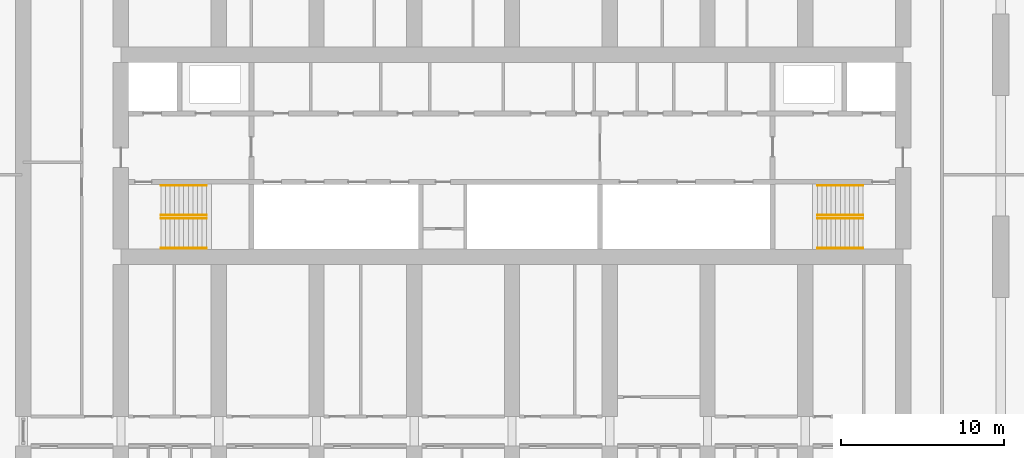
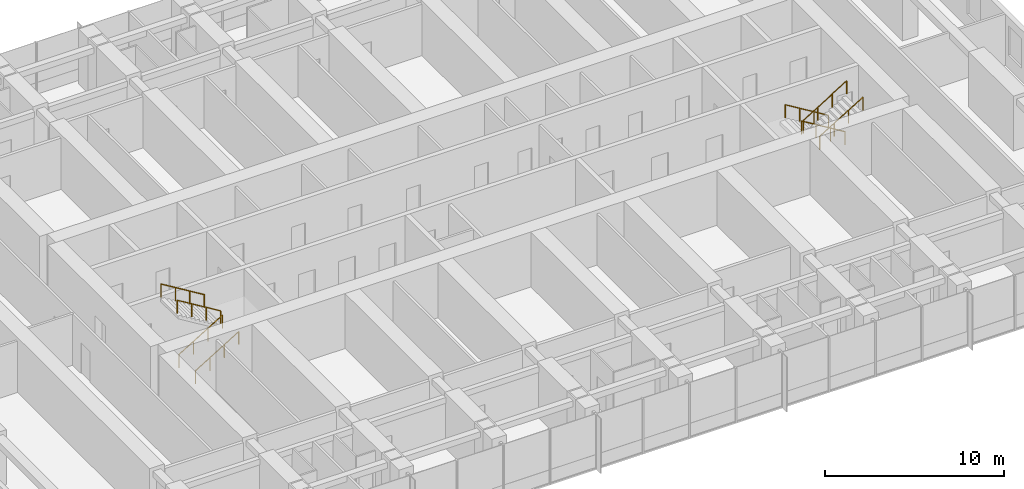
# One storey, part 21 of 21: 8 railings.
"""IFC4 building model written with IfcOpenShell, lengths in metres."""

from ifc_helpers import new_model, si_unit, direction, frame, origin, origin_2d, place, context, subcontext, project, spatial, circle, extrude, material, type_object, element, save


model = new_model("IFC4")

# Units and contexts
model_context = context("Model", 3, precision=1e-05, world=origin(), true_north=direction((0.0, 1.0)))
body_context = subcontext(model_context, "Body", "Model", "MODEL_VIEW")
ifc_project = project(units=[si_unit("LENGTHUNIT", "METRE"), si_unit("AREAUNIT", "SQUARE_METRE"), si_unit("VOLUMEUNIT", "CUBIC_METRE"), si_unit("PLANEANGLEUNIT", "RADIAN"), si_unit("MASSUNIT", "GRAM", prefix="KILO")], contexts=[model_context])

# Site, building, storey
site_placement = place(None, origin())
site = spatial("IfcSite", under=ifc_project, at=site_placement, CompositionType="ELEMENT")
building_placement = place(site_placement, origin())
building = spatial("IfcBuilding", under=site, at=building_placement, Name="Orbita Commons", CompositionType="ELEMENT")
storey_placement = place(building_placement, frame((0.0, 0.0, 125.64990234375)))
storey = spatial("IfcBuildingStorey", under=building, at=storey_placement, Name="L31", CompositionType="ELEMENT", Elevation=125.64990234375)

# Railings
ifc_material = material(Name="Steel tube, painted", Category="steel")
railing_type = type_object("IfcRailingType", Name="Stair handrail steel tube 900", PredefinedType="HANDRAIL", material=ifc_material)
for number, where, name in (
    (1, (20.449951171875, 28.1650390625, 0.170654296875), "Stair S1 handrail L31 flight 1"),
    (2, (20.449951171875, 26.3349609375, 0.170654296875), "Stair S1 handrail L31 flight 1"),
):
    element("IfcRailing", number, at=place(storey_placement, frame(where)), inside=storey, type_object=railing_type, Name=name, PredefinedType="HANDRAIL", context=body_context, shape_type="SweptSolid", body=[
        extrude(circle(Radius=0.02099609375, at=origin_2d()), frame((0.0, 0.0, 0.87890625), z_axis=(0.854202870247, 0.0, 0.519939858505), x_axis=(0.0, 1.0, 0.0)), (0.0, 0.0, 1.0), 3.278076171875),
        extrude(circle(Radius=0.02001953125, at=origin_2d()), origin(), (0.0, 0.0, 1.0), 0.85791015625),
        extrude(circle(Radius=0.02001953125, at=origin_2d()), frame((0.933349609375, 0.0, 0.568115234375)), (0.0, 0.0, 1.0), 0.85791015625),
        extrude(circle(Radius=0.02001953125, at=origin_2d()), frame((1.86669921875, 0.0, 1.13623046875)), (0.0, 0.0, 1.0), 0.85791015625),
        extrude(circle(Radius=0.02001953125, at=origin_2d()), frame((2.800048828125, 0.0, 1.704345703125)), (0.0, 0.0, 1.0), 0.85791015625),
    ])
for number, where, name in (
    (3, (23.25, 28.360107421875, 2.045654296875), "Stair S1 handrail L31 flight 2"),
    (4, (23.25, 30.18994140625, 2.045654296875), "Stair S1 handrail L31 flight 2"),
    (5, (63.550048828125, 28.360107421875, 0.170654296875), "Stair S2 handrail L31 flight 1"),
    (6, (63.550048828125, 30.18994140625, 0.170654296875), "Stair S2 handrail L31 flight 1"),
):
    element("IfcRailing", number, at=place(storey_placement, frame(where)), inside=storey, type_object=railing_type, Name=name, PredefinedType="HANDRAIL", context=body_context, shape_type="SweptSolid", body=[
        extrude(circle(Radius=0.02099609375, at=origin_2d()), frame((0.0, 0.0, 0.87890625), z_axis=(-0.854202870247, 0.0, 0.519939858505), x_axis=(0.0, -1.0, 0.0)), (0.0, 0.0, 1.0), 3.278076171875),
        extrude(circle(Radius=0.02001953125, at=origin_2d()), origin(), (0.0, 0.0, 1.0), 0.85791015625),
        extrude(circle(Radius=0.02001953125, at=origin_2d()), frame((-0.933349609375, 0.0, 0.568115234375)), (0.0, 0.0, 1.0), 0.85791015625),
        extrude(circle(Radius=0.02001953125, at=origin_2d()), frame((-1.86669921875, 0.0, 1.13623046875)), (0.0, 0.0, 1.0), 0.85791015625),
        extrude(circle(Radius=0.02001953125, at=origin_2d()), frame((-2.800048828125, 0.0, 1.704345703125)), (0.0, 0.0, 1.0), 0.85791015625),
    ])
for number, where, name in (
    (7, (60.75, 28.1650390625, 2.045654296875), "Stair S2 handrail L31 flight 2"),
    (8, (60.75, 26.3349609375, 2.045654296875), "Stair S2 handrail L31 flight 2"),
):
    element("IfcRailing", number, at=place(storey_placement, frame(where)), inside=storey, type_object=railing_type, Name=name, PredefinedType="HANDRAIL", context=body_context, shape_type="SweptSolid", body=[
        extrude(circle(Radius=0.02099609375, at=origin_2d()), frame((0.0, 0.0, 0.87890625), z_axis=(0.854202870247, 0.0, 0.519939858505), x_axis=(0.0, 1.0, 0.0)), (0.0, 0.0, 1.0), 3.278076171875),
        extrude(circle(Radius=0.02001953125, at=origin_2d()), origin(), (0.0, 0.0, 1.0), 0.85791015625),
        extrude(circle(Radius=0.02001953125, at=origin_2d()), frame((0.933349609375, 0.0, 0.568115234375)), (0.0, 0.0, 1.0), 0.85791015625),
        extrude(circle(Radius=0.02001953125, at=origin_2d()), frame((1.86669921875, 0.0, 1.13623046875)), (0.0, 0.0, 1.0), 0.85791015625),
        extrude(circle(Radius=0.02001953125, at=origin_2d()), frame((2.800048828125, 0.0, 1.704345703125)), (0.0, 0.0, 1.0), 0.85791015625),
    ])

save(model, "model.ifc")
